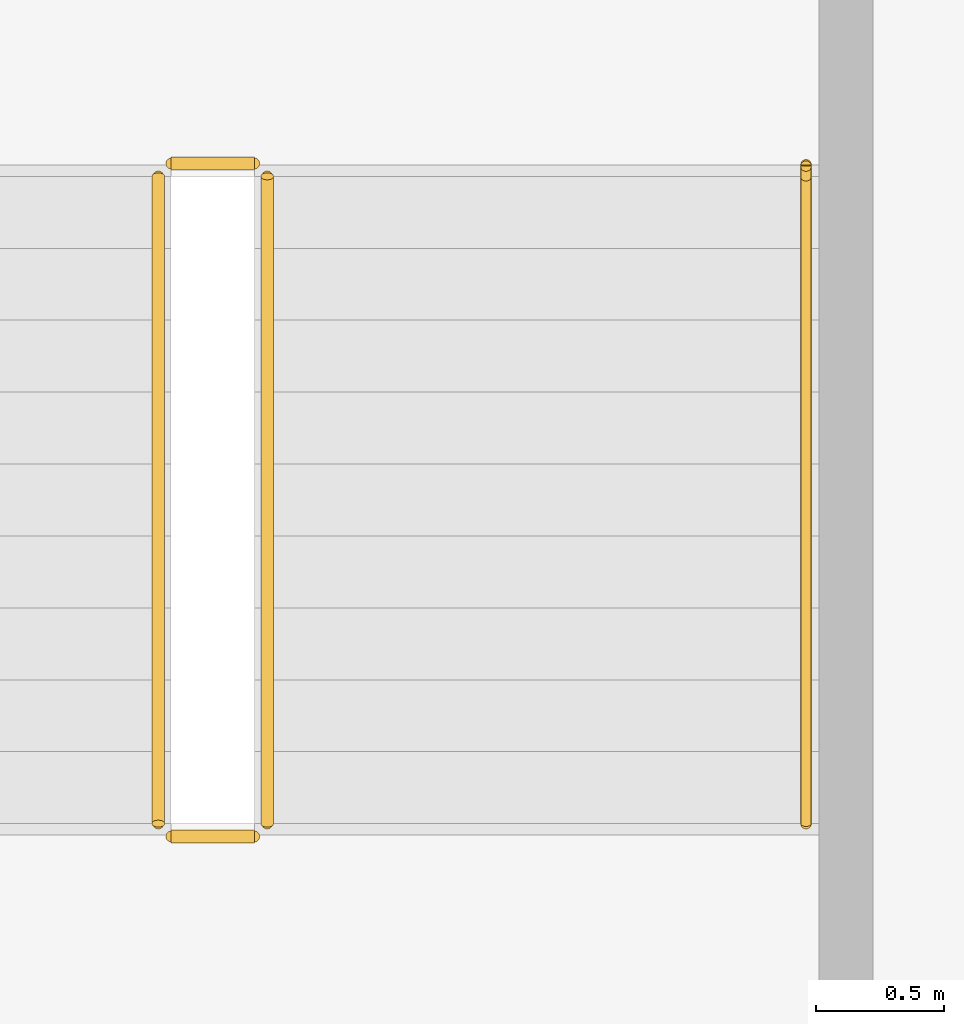
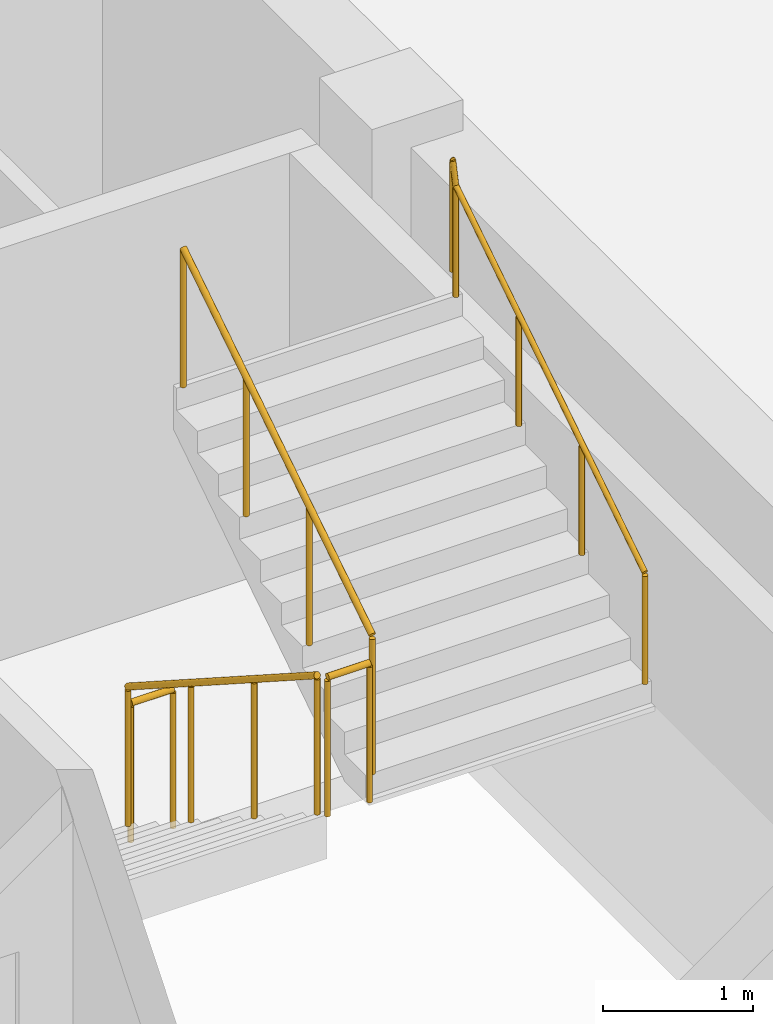
# One storey, part 7 of 8: 5 railings.
"""IFC4 building model written with IfcOpenShell, lengths in metres."""

from ifc_helpers import new_model, si_unit, direction, frame, origin, origin_2d, place, context, subcontext, project, spatial, circle, extrude, material, type_object, element, save


model = new_model("IFC4")

# Units and contexts
model_context = context("Model", 3, precision=1e-05, world=origin(), true_north=direction((0.0, 1.0)))
body_context = subcontext(model_context, "Body", "Model", "MODEL_VIEW")
ifc_project = project(units=[si_unit("LENGTHUNIT", "METRE"), si_unit("AREAUNIT", "SQUARE_METRE"), si_unit("VOLUMEUNIT", "CUBIC_METRE"), si_unit("PLANEANGLEUNIT", "RADIAN"), si_unit("MASSUNIT", "GRAM", prefix="KILO")], contexts=[model_context])

# Site, building, storey
site_placement = place(None, origin())
site = spatial("IfcSite", under=ifc_project, at=site_placement, CompositionType="ELEMENT")
building_placement = place(site_placement, origin())
building = spatial("IfcBuilding", under=site, at=building_placement, Name="Velakula Bourse", CompositionType="ELEMENT")
storey_placement = place(building_placement, frame((0.0, 0.0, 286.949951171875)))
storey = spatial("IfcBuildingStorey", under=building, at=storey_placement, Name="L78", CompositionType="ELEMENT", Elevation=286.949951171875)

# Railings
ifc_material = material(Name="Brushed grade 316 stainless steel", Category="steel")
railing_type_1 = type_object("IfcRailingType", Name="RLG-STAIR-GUARD-1150", PredefinedType="BALUSTRADE", material=ifc_material)
railing_1_placement = place(storey_placement, frame((15.248046875, -2.199951171875, 0.179931640625)))
element("IfcRailing", 1, at=railing_1_placement, inside=storey, type_object=railing_type_1, Name="L78 ST-E1 stair guard 1", PredefinedType="BALUSTRADE", context=body_context, shape_type="SweptSolid", body=[
    extrude(circle(Radius=0.02490234375, at=origin_2d()), frame((0.0, 0.0, 1.125), z_axis=(0.0, -0.841162588446, 0.540782303519), x_axis=(1.0, 0.0, 0.0)), (0.0, 0.0, 1.0), 2.995849609375),
    extrude(circle(Radius=0.02099609375, at=origin_2d()), origin(), (0.0, 0.0, 1.0), 1.099853515625),
    extrude(circle(Radius=0.02099609375, at=origin_2d()), frame((0.0, -0.840087890625, 0.5400390625)), (0.0, 0.0, 1.0), 1.099853515625),
    extrude(circle(Radius=0.02099609375, at=origin_2d()), frame((0.0, -1.679931640625, 1.080078125)), (0.0, 0.0, 1.0), 1.099853515625),
    extrude(circle(Radius=0.02099609375, at=origin_2d()), frame((0.0, -2.52001953125, 1.6201171875)), (0.0, 0.0, 1.0), 1.099853515625),
])
railing_2_placement = place(storey_placement, frame((15.298095703125, -4.77001953125, 1.800048828125)))
element("IfcRailing", 2, at=railing_2_placement, inside=storey, type_object=railing_type_1, Name="L78 ST-E1 stair guard 2", PredefinedType="BALUSTRADE", context=body_context, shape_type="SweptSolid", body=[
    extrude(circle(Radius=0.02490234375, at=origin_2d()), frame((0.0, 0.0, 1.125), z_axis=(1.0, 0.0, 0.0), x_axis=(0.0, 1.0, 0.0)), (0.0, 0.0, 1.0), 0.323974609375),
    extrude(circle(Radius=0.02099609375, at=origin_2d()), origin(), (0.0, 0.0, 1.0), 1.099853515625),
    extrude(circle(Radius=0.02099609375, at=origin_2d()), frame((0.323974609375, 0.0, 0.0)), (0.0, 0.0, 1.0), 1.099853515625),
])
railing_3_placement = place(storey_placement, frame((15.672119140625, -4.719970703125, 1.97998046875)))
element("IfcRailing", 3, at=railing_3_placement, inside=storey, type_object=railing_type_1, Name="L78 ST-E1 stair guard 3", PredefinedType="BALUSTRADE", context=body_context, shape_type="SweptSolid", body=[
    extrude(circle(Radius=0.02490234375, at=origin_2d()), frame((0.0, 0.0, 1.125), z_axis=(0.0, 0.841162588446, 0.540782303519), x_axis=(-1.0, 0.0, 0.0)), (0.0, 0.0, 1.0), 2.995849609375),
    extrude(circle(Radius=0.02099609375, at=origin_2d()), origin(), (0.0, 0.0, 1.0), 1.099853515625),
    extrude(circle(Radius=0.02099609375, at=origin_2d()), frame((0.0, 0.840087890625, 0.5400390625)), (0.0, 0.0, 1.0), 1.099853515625),
    extrude(circle(Radius=0.02099609375, at=origin_2d()), frame((0.0, 1.679931640625, 1.080078125)), (0.0, 0.0, 1.0), 1.099853515625),
    extrude(circle(Radius=0.02099609375, at=origin_2d()), frame((0.0, 2.52001953125, 1.6201171875)), (0.0, 0.0, 1.0), 1.099853515625),
])
railing_4_placement = place(storey_placement, frame((15.298095703125, -2.14990234375, 0.0)))
element("IfcRailing", 4, at=railing_4_placement, inside=storey, type_object=railing_type_1, Name="L78 ST-E1 stair guard 4", PredefinedType="BALUSTRADE", context=body_context, shape_type="SweptSolid", body=[
    extrude(circle(Radius=0.02490234375, at=origin_2d()), frame((0.0, 0.0, 1.125), z_axis=(1.0, 0.0, 0.0), x_axis=(0.0, 1.0, 0.0)), (0.0, 0.0, 1.0), 0.323974609375),
    extrude(circle(Radius=0.02099609375, at=origin_2d()), origin(), (0.0, 0.0, 1.0), 1.099853515625),
    extrude(circle(Radius=0.02099609375, at=origin_2d()), frame((0.323974609375, 0.0, 0.0)), (0.0, 0.0, 1.0), 1.099853515625),
])
railing_type_2 = type_object("IfcRailingType", Name="RLG-STAIR-HAND-920", PredefinedType="HANDRAIL", material=ifc_material)
railing_5_placement = place(storey_placement, frame((17.77001953125, -4.719970703125, 1.97998046875)))
element("IfcRailing", 5, at=railing_5_placement, inside=storey, type_object=railing_type_2, Name="L78 ST-E1 stair handrail 2", PredefinedType="HANDRAIL", context=body_context, shape_type="SweptSolid", body=[
    extrude(circle(Radius=0.02099609375, at=origin_2d()), frame((0.0, 0.0, 0.89892578125), z_axis=(0.0, 0.841162588446, 0.540782303519), x_axis=(-1.0, 0.0, 0.0)), (0.0, 0.0, 1.0), 2.995849609375),
    extrude(circle(Radius=0.02099609375, at=origin_2d()), frame((0.0, 2.52001953125, 2.51904296875), z_axis=(0.0, 0.217210922078, 0.976124692511), x_axis=(-1.0, 0.0, 0.0)), (0.0, 0.0, 1.0), 0.184326171875),
    extrude(circle(Radius=0.02099609375, at=origin_2d()), frame((0.0, 2.56005859375, 2.698974609375), z_axis=(0.0, 1.0, 0.0), x_axis=(-1.0, 0.0, 0.0)), (0.0, 0.0, 1.0), 0.0048828125),
    extrude(circle(Radius=0.02099609375, at=origin_2d()), origin(), (0.0, 0.0, 1.0), 0.8779296875),
    extrude(circle(Radius=0.02099609375, at=origin_2d()), frame((0.0, 0.840087890625, 0.5400390625)), (0.0, 0.0, 1.0), 0.8779296875),
    extrude(circle(Radius=0.02099609375, at=origin_2d()), frame((0.0, 1.679931640625, 1.080078125)), (0.0, 0.0, 1.0), 0.8779296875),
    extrude(circle(Radius=0.02099609375, at=origin_2d()), frame((0.0, 2.52001953125, 1.6201171875)), (0.0, 0.0, 1.0), 0.8779296875),
    extrude(circle(Radius=0.02099609375, at=origin_2d()), frame((0.0, 2.56005859375, 1.800048828125)), (0.0, 0.0, 1.0), 0.8779296875),
    extrude(circle(Radius=0.02099609375, at=origin_2d()), frame((0.0, 2.56494140625, 1.800048828125)), (0.0, 0.0, 1.0), 0.8779296875),
])

save(model, "model.ifc")
